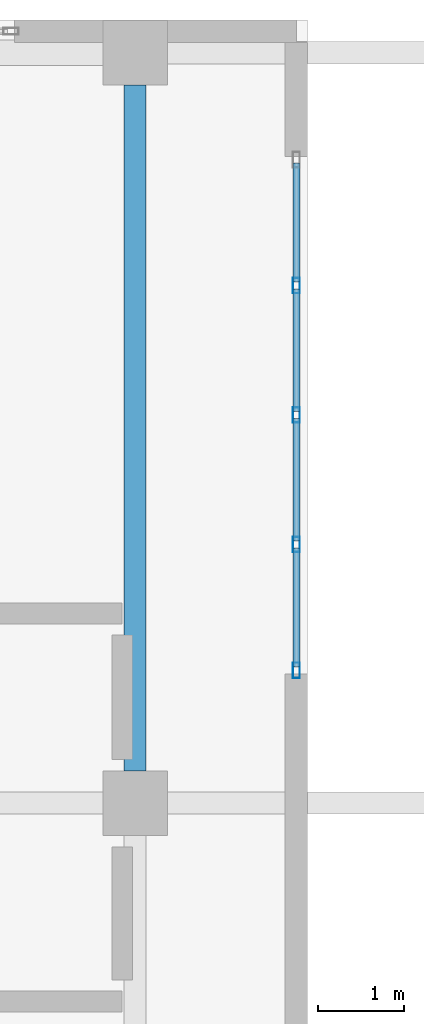
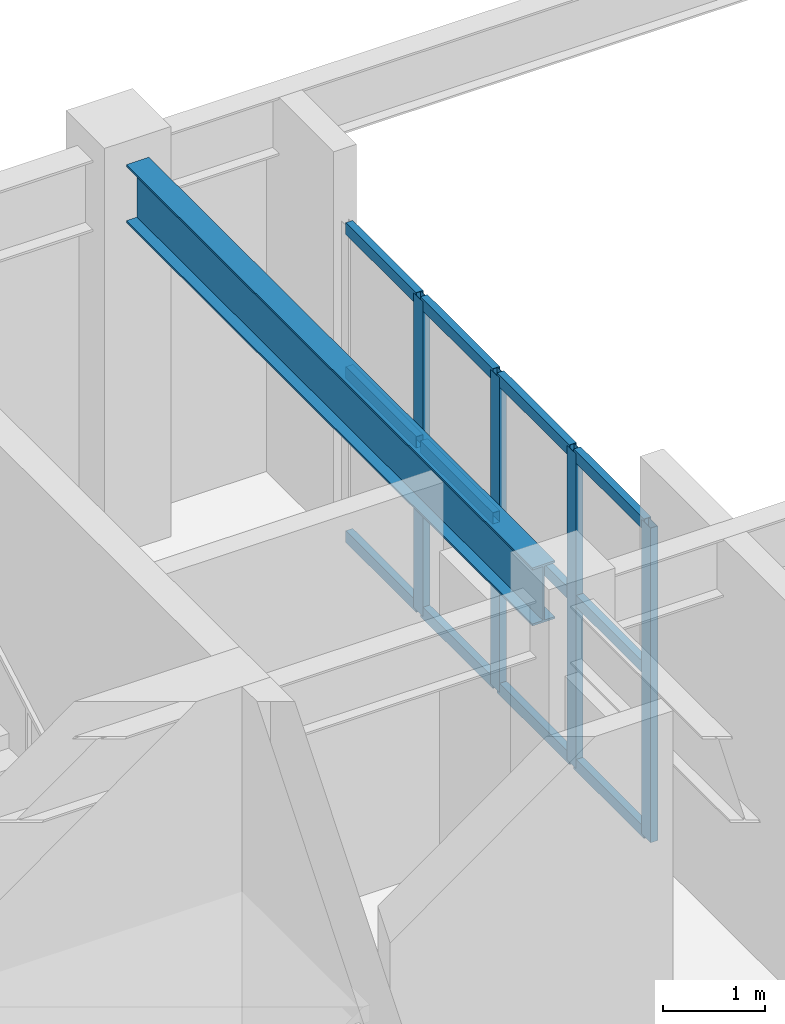
# One storey, part 4 of 11: 16 members, 1 beam, 1 element without a shape of its own.
"""IFC4 building model written with IfcOpenShell, lengths in metres."""

import ifcopenshell
import ifcopenshell.guid

model = None  # the IFC model being written
_history = None  # IfcOwnerHistory: only IFC2X3 demands one
_inside = {}  # id of a spatial element -> (the spatial element, [elements in it])
_under = {}  # id of a project, library or spatial element -> (it, [spatial elements below it])
_declared = {}  # id of a project -> (the project, [libraries it declares])
_typed = {}  # id of a type object -> (the type object, [elements of that type])
_made_of = {}  # id of a material, layer set ... -> (it, [elements and type objects made of it])


def new_model(schema):
    """Start an empty IFC model of exactly this schema.

    Asked for "IFC4X3", IfcOpenShell would pick the latest addendum, in which some entities
    have other attributes; the version numbers below select the first issue.
    IFC2X3 requires an IfcOwnerHistory on every rooted entity: one is made here for all.
    """
    global model, _history
    if schema == "IFC4X3":
        model = ifcopenshell.file(schema_version=(4, 3, 0, 0))
    else:
        model = ifcopenshell.file(schema=schema)
    _inside.clear()
    _under.clear()
    _declared.clear()
    _typed.clear()
    _made_of.clear()
    _history = None
    if model.schema == "IFC2X3":
        org = make("IfcOrganization", Name="unknown")
        user = make(
            "IfcPersonAndOrganization",
            ThePerson=make("IfcPerson", FamilyName="unknown"),
            TheOrganization=org,
        )
        app = make(
            "IfcApplication",
            ApplicationDeveloper=org,
            Version="unknown",
            ApplicationFullName="unknown",
            ApplicationIdentifier="unknown",
        )
        _history = make(
            "IfcOwnerHistory",
            OwningUser=user,
            OwningApplication=app,
            ChangeAction="ADDED",
            CreationDate=0,
        )
    return model


def make(cls, **values):
    """One entity of the class cls with the attributes given. An attribute that is None is left unset."""
    return model.create_entity(
        cls, **{name: value for name, value in values.items() if value is not None}
    )


def rooted(cls, **values):
    """An entity with a GlobalId (a new one), such as an element, a storey or a relation."""
    return make(cls, GlobalId=ifcopenshell.guid.new(), OwnerHistory=_history, **values)


def si_unit(unit_type, name, prefix=None):
    """IfcSIUnit, for example si_unit("LENGTHUNIT", "METRE", prefix="MILLI")."""
    return make("IfcSIUnit", UnitType=unit_type, Prefix=prefix, Name=name)


def assignment(units):
    """IfcUnitAssignment: the units of a project."""
    return None if units is None else make("IfcUnitAssignment", Units=units)


def point(xyz):
    """IfcCartesianPoint."""
    return None if xyz is None else make("IfcCartesianPoint", Coordinates=xyz)


def direction(xyz):
    """IfcDirection."""
    return None if xyz is None else make("IfcDirection", DirectionRatios=xyz)


def frame(location, z_axis=None, x_axis=None):
    """IfcAxis2Placement3D, a coordinate frame: its origin and axes. An axis left out is left unset."""
    return make(
        "IfcAxis2Placement3D",
        Location=point(location),
        Axis=direction(z_axis),
        RefDirection=direction(x_axis),
    )


def frame_2d(location, x_axis=None):
    """IfcAxis2Placement2D, a coordinate frame in the plane: its origin and x axis."""
    return make(
        "IfcAxis2Placement2D", Location=point(location), RefDirection=direction(x_axis)
    )


def origin():
    """The frame at (0, 0, 0) with its axes left unset."""
    return frame((0.0, 0.0, 0.0))


def origin_2d():
    """The frame at (0, 0) in the plane with its x axis left unset."""
    return frame_2d((0.0, 0.0))


def place(relative_to, where):
    """IfcLocalPlacement: puts the frame where relative to a parent placement (None: the world)."""
    return make(
        "IfcLocalPlacement", PlacementRelTo=relative_to, RelativePlacement=where
    )


def context(
    kind, dimensions, precision=None, world=None, true_north=None, identifier=None
):
    """IfcGeometricRepresentationContext, for example the 3D "Model" context."""
    return make(
        "IfcGeometricRepresentationContext",
        ContextIdentifier=identifier,
        ContextType=kind,
        CoordinateSpaceDimension=dimensions,
        Precision=precision,
        WorldCoordinateSystem=world,
        TrueNorth=true_north,
    )


def subcontext(parent, identifier, kind, view, scale=None):
    """IfcGeometricRepresentationSubContext, for example "Body" below "Model"."""
    return make(
        "IfcGeometricRepresentationSubContext",
        ContextIdentifier=identifier,
        ContextType=kind,
        ParentContext=parent,
        TargetScale=scale,
        TargetView=view,
    )


def project(units=None, contexts=None):
    """IfcProject with its units and contexts."""
    return rooted(
        "IfcProject",
        Name="project",
        RepresentationContexts=contexts,
        UnitsInContext=assignment(units),
    )


def spatial(cls, under=None, at=None, **own):
    """A site, building, storey or space (cls), placed at a placement, below another one or the project."""
    s = rooted(cls, ObjectPlacement=at, **own)
    if under is not None:
        _under.setdefault(under.id(), (under, []))[1].append(s)
    return s


def profile(cls, at=None, kind="AREA", **sizes):
    """A parametric profile (cls). Its sizes go by their IFC names, for example OverallWidth=200.0."""
    return make(cls, ProfileType=kind, Position=at, **sizes)


def hollow_rectangle(**sizes):
    """IfcRectangleHollowProfileDef."""
    return profile("IfcRectangleHollowProfileDef", **sizes)


def i_section(**sizes):
    """IfcIShapeProfileDef."""
    return profile("IfcIShapeProfileDef", **sizes)


def extrude(swept, where, along, depth):
    """IfcExtrudedAreaSolid: the profile swept, set in the frame where, extruded along a direction by depth."""
    return make(
        "IfcExtrudedAreaSolid",
        SweptArea=swept,
        Position=where,
        ExtrudedDirection=direction(along),
        Depth=depth,
    )


def shape(context_of_items, identifier, shape_type, items):
    """IfcShapeRepresentation: the items that make up one representation, for example the "Body"."""
    return make(
        "IfcShapeRepresentation",
        ContextOfItems=context_of_items,
        RepresentationIdentifier=identifier,
        RepresentationType=shape_type,
        Items=items,
    )


def material(Name=None, Category=None):
    """IfcMaterial."""
    return make("IfcMaterial", Name=Name, Category=Category)


def layer(
    of_material, thickness, ventilated=None, Name=None, Category=None, Priority=None
):
    """IfcMaterialLayer: one layer of a wall or slab, of a material (None: an air gap)."""
    return make(
        "IfcMaterialLayer",
        Material=of_material,
        LayerThickness=thickness,
        IsVentilated=ventilated,
        Name=Name,
        Category=Category,
        Priority=Priority,
    )


def layer_set(layers, Name=None):
    """IfcMaterialLayerSet."""
    return make("IfcMaterialLayerSet", MaterialLayers=layers, LayerSetName=Name)


def material_profile(
    of_material, cross_section, Name=None, Category=None, Priority=None
):
    """IfcMaterialProfile: a cross section and its material."""
    return make(
        "IfcMaterialProfile",
        Name=Name,
        Material=of_material,
        Profile=cross_section,
        Priority=Priority,
        Category=Category,
    )


def profile_set(profiles, Name=None, composite=None):
    """IfcMaterialProfileSet."""
    return make(
        "IfcMaterialProfileSet",
        Name=Name,
        MaterialProfiles=profiles,
        CompositeProfile=composite,
    )


def made_of(thing, what):
    """Note that an element or type object is made of a material, layer set ...; save() writes the relation."""
    if what is not None:
        _made_of.setdefault(what.id(), (what, []))[1].append(thing)
    return thing


def type_object(cls, material=None, **own):
    """A type object (cls), such as IfcWallType, which elements share."""
    return made_of(rooted(cls, **own), material)


def element(
    cls,
    number,
    at=None,
    inside=None,
    cuts=None,
    type_object=None,
    material=None,
    context=None,
    identifier="Body",
    shape_type=None,
    held_by="IfcProductDefinitionShape",
    body=None,
    shapes=None,
    **own,
):
    """One element of the class cls, such as IfcWall. Its Tag is "e" and its number.

    at: its placement. inside: the storey or other place that contains it. cuts: it is an
    opening in that element (IfcRelVoidsElement). A single representation is given by context,
    identifier, shape_type and body (its items); several are given by shapes. held_by: the class
    of the entity that holds the representations. save() writes the other relations.
    """
    e = rooted(cls, Tag="e%d" % number, ObjectPlacement=at, **own)
    if body is not None:
        shapes = [shape(context, identifier, shape_type, body)]
    if shapes is not None:
        e.Representation = make(held_by, Representations=shapes)
    if inside is not None:
        _inside.setdefault(inside.id(), (inside, []))[1].append(e)
    if cuts is not None:
        rooted(
            "IfcRelVoidsElement", RelatingBuildingElement=cuts, RelatedOpeningElement=e
        )
    if type_object is not None:
        _typed.setdefault(type_object.id(), (type_object, []))[1].append(e)
    return made_of(e, material)


def aggregate(whole, parts):
    """IfcRelAggregates: a whole, such as a stair, and the parts it consists of."""
    return rooted("IfcRelAggregates", RelatingObject=whole, RelatedObjects=parts)


def save(model, path):
    """Write the relations noted so far, then the file.

    IfcRelAggregates (storeys below a building ...), IfcRelContainedInSpatialStructure (elements
    in a storey), IfcRelDefinesByType, IfcRelAssociatesMaterial and IfcRelDeclares: one each for
    every whole, place, type object, material and project.
    """
    for whole, parts in _under.values():
        aggregate(whole, parts)
    for where, things in _inside.values():
        rooted(
            "IfcRelContainedInSpatialStructure",
            RelatedElements=things,
            RelatingStructure=where,
        )
    for kind, things in _typed.values():
        rooted("IfcRelDefinesByType", RelatedObjects=things, RelatingType=kind)
    for what, things in _made_of.values():
        rooted("IfcRelAssociatesMaterial", RelatedObjects=things, RelatingMaterial=what)
    for by, libraries in _declared.values():
        rooted("IfcRelDeclares", RelatingContext=by, RelatedDefinitions=libraries)
    model.write(path)


model = new_model("IFC4")

# Units and contexts
model_context = context("Model", 3, precision=1e-05, world=origin(), true_north=direction((0.0, 1.0)))
body_context = subcontext(model_context, "Body", "Model", "MODEL_VIEW")
ifc_project = project(units=[si_unit("LENGTHUNIT", "METRE"), si_unit("AREAUNIT", "SQUARE_METRE"), si_unit("VOLUMEUNIT", "CUBIC_METRE"), si_unit("PLANEANGLEUNIT", "RADIAN"), si_unit("MASSUNIT", "GRAM", prefix="KILO")], contexts=[model_context])

# Site, building, storey
site_placement = place(None, origin())
site = spatial("IfcSite", under=ifc_project, at=site_placement, CompositionType="ELEMENT")
building_placement = place(site_placement, origin())
building = spatial("IfcBuilding", under=site, at=building_placement, Name="Solanera Arch Residences", CompositionType="ELEMENT")
storey_placement = place(building_placement, frame((0.0, 0.0, 287.8798828125)))
storey = spatial("IfcBuildingStorey", under=building, at=storey_placement, Name="L82", CompositionType="ELEMENT", Elevation=287.8798828125)

# Curtain wall, members
ifc_material_1 = material(Name="Anodised Aluminium Alloy 6063-T6", Category="aluminium")
ifc_layer = layer(ifc_material_1, 0.179931640625)
ifc_layer_set = layer_set([ifc_layer], Name="Anodised Aluminium Alloy 6063-T6")
curtain_wall_type = type_object("IfcCurtainWallType", Name="CW-6 Split-Top Crown Lantern Curtain Wall", PredefinedType="USERDEFINED", material=ifc_layer_set)
curtain_wall_placement = place(storey_placement, origin())
curtain_wall = element("IfcCurtainWall", 1, at=curtain_wall_placement, inside=storey, type_object=curtain_wall_type, Name="L82 W Crown Cleft Lantern Curtain Wall", ObjectType="CURTAIN_WALL", PredefinedType="USERDEFINED")
ifc_material_2 = material(Name="Anodised Aluminium Alloy 6063-T6", Category="aluminium")
ifc_material_profile_1 = material_profile(ifc_material_2, hollow_rectangle(XDim=0.080078125, YDim=0.179931640625, WallThickness=0.00390625, at=origin_2d()))
ifc_profile_set_1 = profile_set([ifc_material_profile_1], Name="Anodised Aluminium Alloy 6063-T6")
member_type_1 = type_object("IfcMemberType", Name="Curtain Wall Mullion ALU-MUL-80X180", PredefinedType="MULLION", material=ifc_profile_set_1)
member_1_placement = place(storey_placement, frame((22.669921875, 32.239990234375, 0.0), z_axis=(0.0, 0.0, 1.0), x_axis=(-1.0, 0.0, 0.0)))
member_1 = element("IfcMember", 2, at=member_1_placement, type_object=member_type_1, Name="CW-6 mullion 1", PredefinedType="MULLION", context=body_context, shape_type="SweptSolid", body=[
    extrude(hollow_rectangle(XDim=0.080078125, YDim=0.179931640625, WallThickness=0.00390625, at=origin_2d()), origin(), (0.0, 0.0, 1.0), 3.760009765625),
])
member_2_placement = place(storey_placement, frame((22.669921875, 33.699951171875, 0.0), z_axis=(0.0, 0.0, 1.0), x_axis=(-1.0, 0.0, 0.0)))
member_2 = element("IfcMember", 3, at=member_2_placement, type_object=member_type_1, Name="CW-6 mullion 2", PredefinedType="MULLION", context=body_context, shape_type="SweptSolid", body=[
    extrude(hollow_rectangle(XDim=0.080078125, YDim=0.179931640625, WallThickness=0.00390625, at=origin_2d()), origin(), (0.0, 0.0, 1.0), 3.760009765625),
])
member_3_placement = place(storey_placement, frame((22.669921875, 35.199951171875, 0.0), z_axis=(0.0, 0.0, 1.0), x_axis=(-1.0, 0.0, 0.0)))
member_3 = element("IfcMember", 4, at=member_3_placement, type_object=member_type_1, Name="CW-6 mullion 3", PredefinedType="MULLION", context=body_context, shape_type="SweptSolid", body=[
    extrude(hollow_rectangle(XDim=0.080078125, YDim=0.179931640625, WallThickness=0.00390625, at=origin_2d()), origin(), (0.0, 0.0, 1.0), 3.760009765625),
])
member_4_placement = place(storey_placement, frame((22.669921875, 36.699951171875, 0.0), z_axis=(0.0, 0.0, 1.0), x_axis=(-1.0, 0.0, 0.0)))
member_4 = element("IfcMember", 5, at=member_4_placement, type_object=member_type_1, Name="CW-6 mullion 4", PredefinedType="MULLION", context=body_context, shape_type="SweptSolid", body=[
    extrude(hollow_rectangle(XDim=0.080078125, YDim=0.179931640625, WallThickness=0.00390625, at=origin_2d()), origin(), (0.0, 0.0, 1.0), 3.760009765625),
])
ifc_material_3 = material(Name="Anodised Aluminium Alloy 6063-T6", Category="aluminium")
ifc_material_profile_2 = material_profile(ifc_material_3, hollow_rectangle(XDim=0.080078125, YDim=0.139892578125, WallThickness=0.00390625, at=origin_2d()))
ifc_profile_set_2 = profile_set([ifc_material_profile_2], Name="Anodised Aluminium Alloy 6063-T6")
member_type_2 = type_object("IfcMemberType", Name="Curtain Wall Transom ALU-TRN-80X140", PredefinedType="USERDEFINED", material=ifc_profile_set_2)
member_5_placement = place(storey_placement, frame((22.669921875, 32.280029296875, 0.0400390625), z_axis=(0.0, 1.0, 0.0), x_axis=(-1.0, 0.0, 0.0)))
member_5 = element("IfcMember", 6, at=member_5_placement, type_object=member_type_2, Name="CW-6 transom 1.1", ObjectType="TRANSOM", PredefinedType="USERDEFINED", context=body_context, shape_type="SweptSolid", body=[
    extrude(hollow_rectangle(XDim=0.080078125, YDim=0.139892578125, WallThickness=0.00390625, at=origin_2d()), origin(), (0.0, 0.0, 1.0), 1.3798828125),
])
member_6_placement = place(storey_placement, frame((22.669921875, 32.280029296875, 2.0), z_axis=(0.0, 1.0, 0.0), x_axis=(-1.0, 0.0, 0.0)))
member_6 = element("IfcMember", 7, at=member_6_placement, type_object=member_type_2, Name="CW-6 transom 1.2", ObjectType="TRANSOM", PredefinedType="USERDEFINED", context=body_context, shape_type="SweptSolid", body=[
    extrude(hollow_rectangle(XDim=0.080078125, YDim=0.139892578125, WallThickness=0.00390625, at=origin_2d()), origin(), (0.0, 0.0, 1.0), 1.3798828125),
])
member_7_placement = place(storey_placement, frame((22.669921875, 32.280029296875, 3.72021484375), z_axis=(0.0, 1.0, 0.0), x_axis=(-1.0, 0.0, 0.0)))
member_7 = element("IfcMember", 8, at=member_7_placement, type_object=member_type_2, Name="CW-6 transom 1.3", ObjectType="TRANSOM", PredefinedType="USERDEFINED", context=body_context, shape_type="SweptSolid", body=[
    extrude(hollow_rectangle(XDim=0.080078125, YDim=0.139892578125, WallThickness=0.00390625, at=origin_2d()), origin(), (0.0, 0.0, 1.0), 1.3798828125),
])
member_8_placement = place(storey_placement, frame((22.669921875, 33.739990234375, 0.0400390625), z_axis=(0.0, 1.0, 0.0), x_axis=(-1.0, 0.0, 0.0)))
member_8 = element("IfcMember", 9, at=member_8_placement, type_object=member_type_2, Name="CW-6 transom 2.1", ObjectType="TRANSOM", PredefinedType="USERDEFINED", context=body_context, shape_type="SweptSolid", body=[
    extrude(hollow_rectangle(XDim=0.080078125, YDim=0.139892578125, WallThickness=0.00390625, at=origin_2d()), origin(), (0.0, 0.0, 1.0), 1.419921875),
])
member_9_placement = place(storey_placement, frame((22.669921875, 33.739990234375, 2.0), z_axis=(0.0, 1.0, 0.0), x_axis=(-1.0, 0.0, 0.0)))
member_9 = element("IfcMember", 10, at=member_9_placement, type_object=member_type_2, Name="CW-6 transom 2.2", ObjectType="TRANSOM", PredefinedType="USERDEFINED", context=body_context, shape_type="SweptSolid", body=[
    extrude(hollow_rectangle(XDim=0.080078125, YDim=0.139892578125, WallThickness=0.00390625, at=origin_2d()), origin(), (0.0, 0.0, 1.0), 1.419921875),
])
member_10_placement = place(storey_placement, frame((22.669921875, 33.739990234375, 3.72021484375), z_axis=(0.0, 1.0, 0.0), x_axis=(-1.0, 0.0, 0.0)))
member_10 = element("IfcMember", 11, at=member_10_placement, type_object=member_type_2, Name="CW-6 transom 2.3", ObjectType="TRANSOM", PredefinedType="USERDEFINED", context=body_context, shape_type="SweptSolid", body=[
    extrude(hollow_rectangle(XDim=0.080078125, YDim=0.139892578125, WallThickness=0.00390625, at=origin_2d()), origin(), (0.0, 0.0, 1.0), 1.419921875),
])
member_11_placement = place(storey_placement, frame((22.669921875, 35.239990234375, 0.0400390625), z_axis=(0.0, 1.0, 0.0), x_axis=(-1.0, 0.0, 0.0)))
member_11 = element("IfcMember", 12, at=member_11_placement, type_object=member_type_2, Name="CW-6 transom 3.1", ObjectType="TRANSOM", PredefinedType="USERDEFINED", context=body_context, shape_type="SweptSolid", body=[
    extrude(hollow_rectangle(XDim=0.080078125, YDim=0.139892578125, WallThickness=0.00390625, at=origin_2d()), origin(), (0.0, 0.0, 1.0), 1.419921875),
])
member_12_placement = place(storey_placement, frame((22.669921875, 35.239990234375, 2.0), z_axis=(0.0, 1.0, 0.0), x_axis=(-1.0, 0.0, 0.0)))
member_12 = element("IfcMember", 13, at=member_12_placement, type_object=member_type_2, Name="CW-6 transom 3.2", ObjectType="TRANSOM", PredefinedType="USERDEFINED", context=body_context, shape_type="SweptSolid", body=[
    extrude(hollow_rectangle(XDim=0.080078125, YDim=0.139892578125, WallThickness=0.00390625, at=origin_2d()), origin(), (0.0, 0.0, 1.0), 1.419921875),
])
member_13_placement = place(storey_placement, frame((22.669921875, 35.239990234375, 3.72021484375), z_axis=(0.0, 1.0, 0.0), x_axis=(-1.0, 0.0, 0.0)))
member_13 = element("IfcMember", 14, at=member_13_placement, type_object=member_type_2, Name="CW-6 transom 3.3", ObjectType="TRANSOM", PredefinedType="USERDEFINED", context=body_context, shape_type="SweptSolid", body=[
    extrude(hollow_rectangle(XDim=0.080078125, YDim=0.139892578125, WallThickness=0.00390625, at=origin_2d()), origin(), (0.0, 0.0, 1.0), 1.419921875),
])
member_14_placement = place(storey_placement, frame((22.669921875, 36.739990234375, 0.0400390625), z_axis=(0.0, 1.0, 0.0), x_axis=(-1.0, 0.0, 0.0)))
member_14 = element("IfcMember", 15, at=member_14_placement, type_object=member_type_2, Name="CW-6 transom 4.1", ObjectType="TRANSOM", PredefinedType="USERDEFINED", context=body_context, shape_type="SweptSolid", body=[
    extrude(hollow_rectangle(XDim=0.080078125, YDim=0.139892578125, WallThickness=0.00390625, at=origin_2d()), origin(), (0.0, 0.0, 1.0), 1.380126953125),
])
member_15_placement = place(storey_placement, frame((22.669921875, 36.739990234375, 2.0), z_axis=(0.0, 1.0, 0.0), x_axis=(-1.0, 0.0, 0.0)))
member_15 = element("IfcMember", 16, at=member_15_placement, type_object=member_type_2, Name="CW-6 transom 4.2", ObjectType="TRANSOM", PredefinedType="USERDEFINED", context=body_context, shape_type="SweptSolid", body=[
    extrude(hollow_rectangle(XDim=0.080078125, YDim=0.139892578125, WallThickness=0.00390625, at=origin_2d()), origin(), (0.0, 0.0, 1.0), 1.380126953125),
])
member_16_placement = place(storey_placement, frame((22.669921875, 36.739990234375, 3.72021484375), z_axis=(0.0, 1.0, 0.0), x_axis=(-1.0, 0.0, 0.0)))
member_16 = element("IfcMember", 17, at=member_16_placement, type_object=member_type_2, Name="CW-6 transom 4.3", ObjectType="TRANSOM", PredefinedType="USERDEFINED", context=body_context, shape_type="SweptSolid", body=[
    extrude(hollow_rectangle(XDim=0.080078125, YDim=0.139892578125, WallThickness=0.00390625, at=origin_2d()), origin(), (0.0, 0.0, 1.0), 1.380126953125),
])
aggregate(curtain_wall, [member_1, member_2, member_3, member_4, member_5, member_6, member_7, member_8, member_9, member_10, member_11, member_12, member_13, member_14, member_15, member_16])

# Beam
ifc_material_4 = material(Name="Steel S355 (ASTM A992 / A572 Grade 50)", Category="steel")
ifc_material_profile_3 = material_profile(ifc_material_4, i_section(OverallWidth=0.256103515625, OverallDepth=0.693115234375, WebThickness=0.014404296875, FlangeThickness=0.023681640625, at=origin_2d()))
ifc_profile_set_3 = profile_set([ifc_material_profile_3], Name="Steel S355 (ASTM A992 / A572 Grade 50)")
beam_type = type_object("IfcBeamType", Name="Primary Beam W690X170", PredefinedType="BEAM", material=ifc_profile_set_3)
beam_placement = place(storey_placement, frame((20.800048828125, 31.074951171875, 4.274169921875), z_axis=(0.0, 1.0, 0.0), x_axis=(-1.0, 0.0, 0.0)))
element("IfcBeam", 18, at=beam_placement, inside=storey, type_object=beam_type, Name="BM-L82-CR-W4", PredefinedType="BEAM", context=body_context, shape_type="SweptSolid", body=[
    extrude(i_section(OverallWidth=0.256103515625, OverallDepth=0.693115234375, WebThickness=0.014404296875, FlangeThickness=0.023681640625, at=origin_2d()), origin(), (0.0, 0.0, 1.0), 7.949951171875),
])

save(model, "model.ifc")
